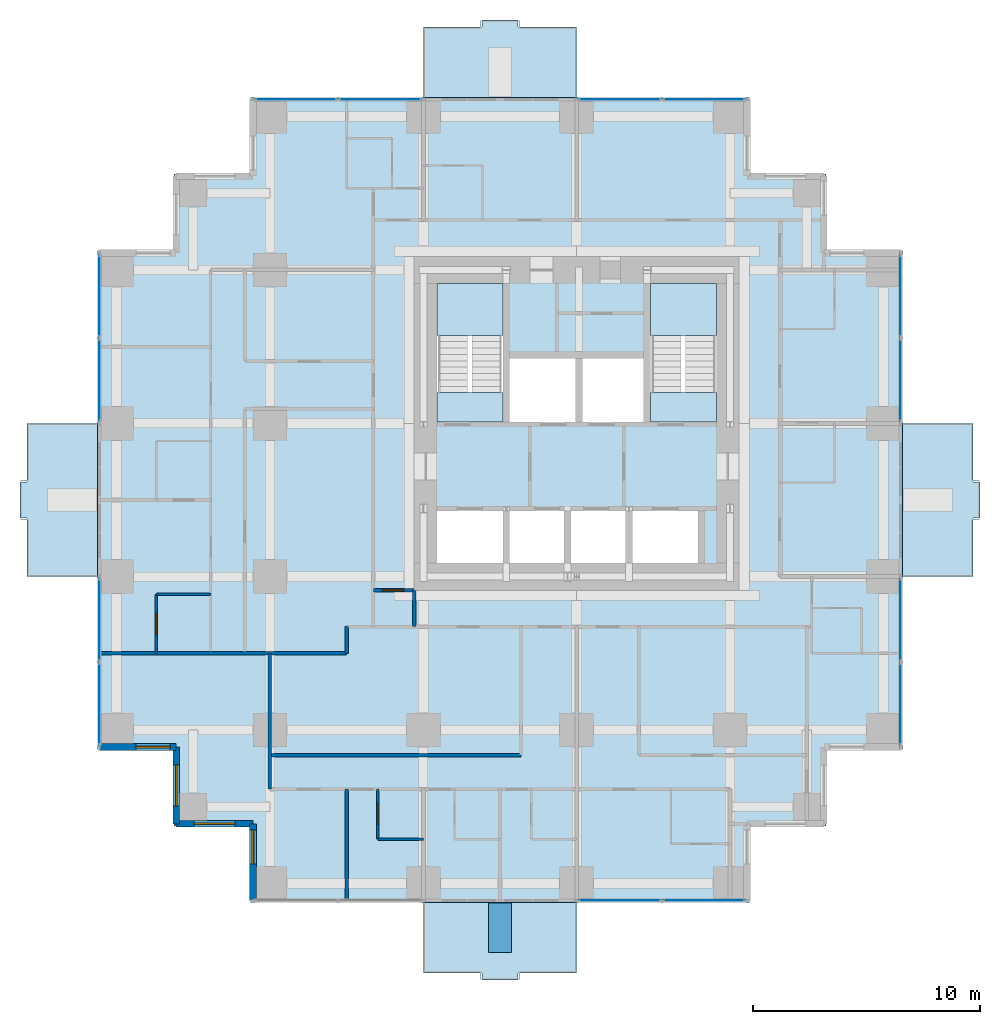
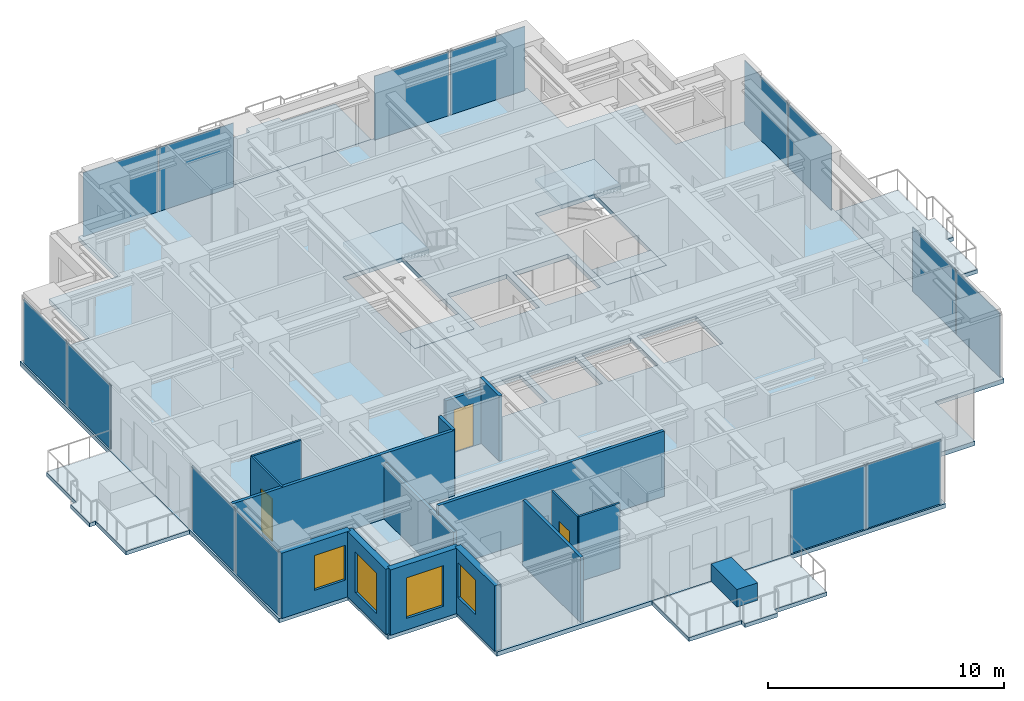
# One storey, part 4 of 10: 16 walls, 14 plates, 9 slabs, 4 windows, 3 doors, 7 openings, 9 elements without a shape of their own.
"""IFC4 building model written with IfcOpenShell, lengths in metres."""

from ifc_helpers import new_model, si_unit, direction, frame, frame_2d, origin, origin_2d, place, context, subcontext, project, spatial, polyline, rectangle, outline, extrude, material, layer, layer_set, type_object, element, fill, aggregate, save


model = new_model("IFC4")

# Units and contexts
model_context = context("Model", 3, precision=1e-05, world=origin(), true_north=direction((0.0, 1.0)))
body_context = subcontext(model_context, "Body", "Model", "MODEL_VIEW")
ifc_project = project(units=[si_unit("LENGTHUNIT", "METRE"), si_unit("AREAUNIT", "SQUARE_METRE"), si_unit("VOLUMEUNIT", "CUBIC_METRE"), si_unit("PLANEANGLEUNIT", "RADIAN"), si_unit("MASSUNIT", "GRAM", prefix="KILO")], contexts=[model_context])

# Site, building, storey
site_placement = place(None, origin())
site = spatial("IfcSite", under=ifc_project, at=site_placement, CompositionType="ELEMENT")
building_placement = place(site_placement, origin())
building = spatial("IfcBuilding", under=site, at=building_placement, Name="Nyansa Garden Tower", CompositionType="ELEMENT")
storey_placement = place(building_placement, frame((0.0, 0.0, 149.39990234375)))
storey = spatial("IfcBuildingStorey", under=building, at=storey_placement, Name="L40", CompositionType="ELEMENT", Elevation=149.39990234375)

# Slabs
ifc_material_1 = material(Name="Concrete C40/50", Category="concrete")
ifc_layer_1 = layer(ifc_material_1, 0.199951171875)
ifc_layer_set_1 = layer_set([ifc_layer_1], Name="Balcony slab BS200")
slab_type_1 = type_object("IfcSlabType", Name="Balcony slab BS200", PredefinedType="FLOOR", material=ifc_layer_set_1)
slab_1_placement = place(storey_placement, frame((0.0, 0.0, -0.239990234375)))
element("IfcSlab", 1, at=slab_1_placement, inside=storey, type_object=slab_type_1, Name="Balcony L40 S", PredefinedType="FLOOR", context=body_context, shape_type="SweptSolid", body=[
    extrude(outline(polyline([(13.5, -0.85009765625), (20.25, -0.85009765625), (20.25, -3.949951171875), (17.675048828125, -3.949951171875), (17.675048828125, -4.25), (16.074951171875, -4.25), (16.074951171875, -3.949951171875), (13.5, -3.949951171875), (13.5, -0.85009765625)])), origin(), (0.0, 0.0, 1.0), 0.2001953125),
])
slab_2_placement = place(storey_placement, frame((0.0, 0.0, -0.239990234375)))
element("IfcSlab", 2, at=slab_2_placement, inside=storey, type_object=slab_type_1, Name="Balcony L40 E", PredefinedType="FLOOR", context=body_context, shape_type="SweptSolid", body=[
    extrude(outline(polyline([(34.60009765625, 13.5), (34.60009765625, 20.25), (37.699951171875, 20.25), (37.699951171875, 17.675048828125), (38.0, 17.675048828125), (38.0, 16.074951171875), (37.699951171875, 16.074951171875), (37.699951171875, 13.5), (34.60009765625, 13.5)])), origin(), (0.0, 0.0, 1.0), 0.2001953125),
])
slab_3_placement = place(storey_placement, frame((0.0, 0.0, -0.239990234375)))
element("IfcSlab", 3, at=slab_3_placement, inside=storey, type_object=slab_type_1, Name="Balcony L40 N", PredefinedType="FLOOR", context=body_context, shape_type="SweptSolid", body=[
    extrude(outline(polyline([(13.5, 34.60009765625), (20.25, 34.60009765625), (20.25, 37.699951171875), (17.675048828125, 37.699951171875), (17.675048828125, 38.0), (16.074951171875, 38.0), (16.074951171875, 37.699951171875), (13.5, 37.699951171875), (13.5, 34.60009765625)])), origin(), (0.0, 0.0, 1.0), 0.2001953125),
])
slab_4_placement = place(storey_placement, frame((0.0, 0.0, -0.239990234375)))
element("IfcSlab", 4, at=slab_4_placement, inside=storey, type_object=slab_type_1, Name="Balcony L40 W", PredefinedType="FLOOR", context=body_context, shape_type="SweptSolid", body=[
    extrude(outline(polyline([(-0.85009765625, 13.5), (-0.85009765625, 20.25), (-3.949951171875, 20.25), (-3.949951171875, 17.675048828125), (-4.25, 17.675048828125), (-4.25, 16.074951171875), (-3.949951171875, 16.074951171875), (-3.949951171875, 13.5), (-0.85009765625, 13.5)])), origin(), (0.0, 0.0, 1.0), 0.2001953125),
])

# Curtain wall, plates
ifc_material_2 = material(Name="Black anodised aluminium, dark tinted double glazing", Category="aluminium")
curtain_wall_type = type_object("IfcCurtainWallType", Name="Inner skin curtain wall ISW-C", PredefinedType="USERDEFINED", material=ifc_material_2)
curtain_wall_1_placement = place(storey_placement, origin())
curtain_wall_1 = element("IfcCurtainWall", 5, at=curtain_wall_1_placement, inside=storey, type_object=curtain_wall_type, Name="Inner skin curtain wall L40 E", ObjectType="UNITISED CURTAIN WALL", PredefinedType="USERDEFINED")
ifc_material_3 = material(Name="Dark tinted laminated double glazing", Category="glass")
ifc_layer_2 = layer(ifc_material_3, 0.0400390625)
ifc_layer_set_2 = layer_set([ifc_layer_2], Name="Dark tinted vision panel VP-C")
plate_type = type_object("IfcPlateType", Name="Dark tinted vision panel VP-C", PredefinedType="CURTAIN_PANEL", material=ifc_layer_set_2)
plate_1_placement = place(storey_placement, frame((34.5, 7.892578125, 0.0), z_axis=(0.0, 0.0, 1.0), x_axis=(0.0, 1.0, 0.0)))
plate_1 = element("IfcPlate", 6, at=plate_1_placement, type_object=plate_type, Name="ISW-C panel 1", PredefinedType="CURTAIN_PANEL", context=body_context, shape_type="SweptSolid", body=[
    extrude(rectangle(XDim=3.64501953125, YDim=0.0400390625, at=origin_2d()), origin(), (0.0, 0.0, 1.0), 3.304931640625),
])
plate_2_placement = place(storey_placement, frame((34.5, 11.607421875, 0.0), z_axis=(0.0, 0.0, 1.0), x_axis=(0.0, 1.0, 0.0)))
plate_2 = element("IfcPlate", 7, at=plate_2_placement, type_object=plate_type, Name="ISW-C panel 2", PredefinedType="CURTAIN_PANEL", context=body_context, shape_type="SweptSolid", body=[
    extrude(rectangle(XDim=3.64501953125, YDim=0.0400390625, at=origin_2d()), origin(), (0.0, 0.0, 1.0), 3.304931640625),
])
aggregate(curtain_wall_1, [plate_1, plate_2])

curtain_wall_2_placement = place(storey_placement, origin())
curtain_wall_2 = element("IfcCurtainWall", 8, at=curtain_wall_2_placement, inside=storey, type_object=curtain_wall_type, Name="Inner skin curtain wall L40 E", ObjectType="UNITISED CURTAIN WALL", PredefinedType="USERDEFINED")
plate_3_placement = place(storey_placement, frame((34.5, 22.142578125, 0.0), z_axis=(0.0, 0.0, 1.0), x_axis=(0.0, 1.0, 0.0)))
plate_3 = element("IfcPlate", 9, at=plate_3_placement, type_object=plate_type, Name="ISW-C panel 1", PredefinedType="CURTAIN_PANEL", context=body_context, shape_type="SweptSolid", body=[
    extrude(rectangle(XDim=3.64501953125, YDim=0.0400390625, at=origin_2d()), origin(), (0.0, 0.0, 1.0), 3.304931640625),
])
plate_4_placement = place(storey_placement, frame((34.5, 25.857421875, 0.0), z_axis=(0.0, 0.0, 1.0), x_axis=(0.0, 1.0, 0.0)))
plate_4 = element("IfcPlate", 10, at=plate_4_placement, type_object=plate_type, Name="ISW-C panel 2", PredefinedType="CURTAIN_PANEL", context=body_context, shape_type="SweptSolid", body=[
    extrude(rectangle(XDim=3.64501953125, YDim=0.0400390625, at=origin_2d()), origin(), (0.0, 0.0, 1.0), 3.304931640625),
])
aggregate(curtain_wall_2, [plate_3, plate_4])

curtain_wall_3_placement = place(storey_placement, origin())
curtain_wall_3 = element("IfcCurtainWall", 11, at=curtain_wall_3_placement, inside=storey, type_object=curtain_wall_type, Name="Inner skin curtain wall L40 N", ObjectType="UNITISED CURTAIN WALL", PredefinedType="USERDEFINED")
plate_5_placement = place(storey_placement, frame((11.607421875, 34.5, 0.0), z_axis=(0.0, 0.0, 1.0), x_axis=(-1.0, 0.0, 0.0)))
plate_5 = element("IfcPlate", 12, at=plate_5_placement, type_object=plate_type, Name="ISW-C panel 1", PredefinedType="CURTAIN_PANEL", context=body_context, shape_type="SweptSolid", body=[
    extrude(rectangle(XDim=3.64501953125, YDim=0.0400390625, at=origin_2d()), origin(), (0.0, 0.0, 1.0), 3.304931640625),
])
plate_6_placement = place(storey_placement, frame((7.892578125, 34.5, 0.0), z_axis=(0.0, 0.0, 1.0), x_axis=(-1.0, 0.0, 0.0)))
plate_6 = element("IfcPlate", 13, at=plate_6_placement, type_object=plate_type, Name="ISW-C panel 2", PredefinedType="CURTAIN_PANEL", context=body_context, shape_type="SweptSolid", body=[
    extrude(rectangle(XDim=3.64501953125, YDim=0.0400390625, at=origin_2d()), origin(), (0.0, 0.0, 1.0), 3.304931640625),
])
aggregate(curtain_wall_3, [plate_5, plate_6])

curtain_wall_4_placement = place(storey_placement, origin())
curtain_wall_4 = element("IfcCurtainWall", 14, at=curtain_wall_4_placement, inside=storey, type_object=curtain_wall_type, Name="Inner skin curtain wall L40 N", ObjectType="UNITISED CURTAIN WALL", PredefinedType="USERDEFINED")
plate_7_placement = place(storey_placement, frame((25.857421875, 34.5, 0.0), z_axis=(0.0, 0.0, 1.0), x_axis=(-1.0, 0.0, 0.0)))
plate_7 = element("IfcPlate", 15, at=plate_7_placement, type_object=plate_type, Name="ISW-C panel 1", PredefinedType="CURTAIN_PANEL", context=body_context, shape_type="SweptSolid", body=[
    extrude(rectangle(XDim=3.64501953125, YDim=0.0400390625, at=origin_2d()), origin(), (0.0, 0.0, 1.0), 3.304931640625),
])
plate_8_placement = place(storey_placement, frame((22.142578125, 34.5, 0.0), z_axis=(0.0, 0.0, 1.0), x_axis=(-1.0, 0.0, 0.0)))
plate_8 = element("IfcPlate", 16, at=plate_8_placement, type_object=plate_type, Name="ISW-C panel 2", PredefinedType="CURTAIN_PANEL", context=body_context, shape_type="SweptSolid", body=[
    extrude(rectangle(XDim=3.64501953125, YDim=0.0400390625, at=origin_2d()), origin(), (0.0, 0.0, 1.0), 3.304931640625),
])
aggregate(curtain_wall_4, [plate_7, plate_8])

curtain_wall_5_placement = place(storey_placement, origin())
curtain_wall_5 = element("IfcCurtainWall", 17, at=curtain_wall_5_placement, inside=storey, type_object=curtain_wall_type, Name="Inner skin curtain wall L40 W", ObjectType="UNITISED CURTAIN WALL", PredefinedType="USERDEFINED")
plate_9_placement = place(storey_placement, frame((-0.75, 11.607421875, 0.0), z_axis=(0.0, 0.0, 1.0), x_axis=(0.0, -1.0, 0.0)))
plate_9 = element("IfcPlate", 18, at=plate_9_placement, type_object=plate_type, Name="ISW-C panel 1", PredefinedType="CURTAIN_PANEL", context=body_context, shape_type="SweptSolid", body=[
    extrude(rectangle(XDim=3.64501953125, YDim=0.0400390625, at=origin_2d()), origin(), (0.0, 0.0, 1.0), 3.304931640625),
])
plate_10_placement = place(storey_placement, frame((-0.75, 7.892578125, 0.0), z_axis=(0.0, 0.0, 1.0), x_axis=(0.0, -1.0, 0.0)))
plate_10 = element("IfcPlate", 19, at=plate_10_placement, type_object=plate_type, Name="ISW-C panel 2", PredefinedType="CURTAIN_PANEL", context=body_context, shape_type="SweptSolid", body=[
    extrude(rectangle(XDim=3.64501953125, YDim=0.0400390625, at=origin_2d()), origin(), (0.0, 0.0, 1.0), 3.304931640625),
])
aggregate(curtain_wall_5, [plate_9, plate_10])

curtain_wall_6_placement = place(storey_placement, origin())
curtain_wall_6 = element("IfcCurtainWall", 20, at=curtain_wall_6_placement, inside=storey, type_object=curtain_wall_type, Name="Inner skin curtain wall L40 W", ObjectType="UNITISED CURTAIN WALL", PredefinedType="USERDEFINED")
plate_11_placement = place(storey_placement, frame((-0.75, 25.857421875, 0.0), z_axis=(0.0, 0.0, 1.0), x_axis=(0.0, -1.0, 0.0)))
plate_11 = element("IfcPlate", 21, at=plate_11_placement, type_object=plate_type, Name="ISW-C panel 1", PredefinedType="CURTAIN_PANEL", context=body_context, shape_type="SweptSolid", body=[
    extrude(rectangle(XDim=3.64501953125, YDim=0.0400390625, at=origin_2d()), origin(), (0.0, 0.0, 1.0), 3.304931640625),
])
plate_12_placement = place(storey_placement, frame((-0.75, 22.142578125, 0.0), z_axis=(0.0, 0.0, 1.0), x_axis=(0.0, -1.0, 0.0)))
plate_12 = element("IfcPlate", 22, at=plate_12_placement, type_object=plate_type, Name="ISW-C panel 2", PredefinedType="CURTAIN_PANEL", context=body_context, shape_type="SweptSolid", body=[
    extrude(rectangle(XDim=3.64501953125, YDim=0.0400390625, at=origin_2d()), origin(), (0.0, 0.0, 1.0), 3.304931640625),
])
aggregate(curtain_wall_6, [plate_11, plate_12])

curtain_wall_7_placement = place(storey_placement, origin())
curtain_wall_7 = element("IfcCurtainWall", 23, at=curtain_wall_7_placement, inside=storey, type_object=curtain_wall_type, Name="Inner skin curtain wall L40 S", ObjectType="UNITISED CURTAIN WALL", PredefinedType="USERDEFINED")
plate_13_placement = place(storey_placement, frame((22.142578125, -0.75, 0.0), z_axis=(0.0, 0.0, 1.0), x_axis=(1.0, 0.0, 0.0)))
plate_13 = element("IfcPlate", 24, at=plate_13_placement, type_object=plate_type, Name="ISW-C panel 1", PredefinedType="CURTAIN_PANEL", context=body_context, shape_type="SweptSolid", body=[
    extrude(rectangle(XDim=3.64501953125, YDim=0.0400390625, at=origin_2d()), origin(), (0.0, 0.0, 1.0), 3.304931640625),
])
plate_14_placement = place(storey_placement, frame((25.857421875, -0.75, 0.0), z_axis=(0.0, 0.0, 1.0), x_axis=(1.0, 0.0, 0.0)))
plate_14 = element("IfcPlate", 25, at=plate_14_placement, type_object=plate_type, Name="ISW-C panel 2", PredefinedType="CURTAIN_PANEL", context=body_context, shape_type="SweptSolid", body=[
    extrude(rectangle(XDim=3.64501953125, YDim=0.0400390625, at=origin_2d()), origin(), (0.0, 0.0, 1.0), 3.304931640625),
])
aggregate(curtain_wall_7, [plate_13, plate_14])

# Slab
ifc_material_4 = material(Name="Concrete C40/50", Category="concrete")
ifc_layer_3 = layer(ifc_material_4, 0.22509765625)
ifc_layer_set_3 = layer_set([ifc_layer_3], Name="Floor slab FS225")
slab_type_2 = type_object("IfcSlabType", Name="Floor slab FS225", PredefinedType="FLOOR", material=ifc_layer_set_3)
slab_5_placement = place(storey_placement, frame((0.0, 0.0, -0.224853515625)))
element("IfcSlab", 26, at=slab_5_placement, inside=storey, type_object=slab_type_2, Name="Floor slab L40", PredefinedType="FLOOR", context=body_context, shape_type="SweptSolid", body=[
    extrude(outline(polyline([(34.60009765625, 5.89990234375), (31.22509765625, 5.89990234375), (31.22509765625, 2.52490234375), (27.85009765625, 2.52490234375), (27.85009765625, -0.85009765625), (5.89990234375, -0.85009765625), (5.89990234375, 2.52490234375), (2.52490234375, 2.52490234375), (2.52490234375, 5.89990234375), (-0.85009765625, 5.89990234375), (-0.85009765625, 27.85009765625), (2.52490234375, 27.85009765625), (2.52490234375, 31.22509765625), (5.89990234375, 31.22509765625), (5.89990234375, 34.60009765625), (27.85009765625, 34.60009765625), (27.85009765625, 31.22509765625), (31.22509765625, 31.22509765625), (31.22509765625, 27.85009765625), (34.60009765625, 27.85009765625), (34.60009765625, 5.89990234375)]), holes=[polyline([(14.10009765625, 14.10009765625), (17.0, 14.10009765625), (17.0, 16.39990234375), (14.10009765625, 16.39990234375), (14.10009765625, 14.10009765625)]), polyline([(17.300048828125, 14.10009765625), (19.699951171875, 14.10009765625), (19.699951171875, 16.39990234375), (17.300048828125, 16.39990234375), (17.300048828125, 14.10009765625)]), polyline([(20.0, 14.10009765625), (22.39990234375, 14.10009765625), (22.39990234375, 16.39990234375), (20.0, 16.39990234375), (20.0, 14.10009765625)]), polyline([(22.699951171875, 14.10009765625), (25.60009765625, 14.10009765625), (25.60009765625, 16.39990234375), (22.699951171875, 16.39990234375), (22.699951171875, 14.10009765625)]), polyline([(17.300048828125, 20.300048828125), (20.199951171875, 20.300048828125), (20.199951171875, 23.10009765625), (17.300048828125, 23.10009765625), (17.300048828125, 20.300048828125)]), polyline([(20.5, 20.300048828125), (23.199951171875, 20.300048828125), (23.199951171875, 23.10009765625), (20.5, 23.10009765625), (20.5, 20.300048828125)]), polyline([(14.10009765625, 20.300048828125), (17.0, 20.300048828125), (17.0, 26.39990234375), (14.10009765625, 26.39990234375), (14.10009765625, 20.300048828125)]), polyline([(23.5, 20.300048828125), (26.39990234375, 20.300048828125), (26.39990234375, 26.39990234375), (23.5, 26.39990234375), (23.5, 20.300048828125)])]), origin(), (0.0, 0.0, 1.0), 0.224853515625),
])

# Stair, slabs
ifc_material_5 = material(Name="Precast concrete C40/50", Category="concrete")
stair_type_1 = type_object("IfcStairType", Name="Stair S1 180x280", PredefinedType="HALF_TURN_STAIR", material=ifc_material_5)
stair_1_placement = place(storey_placement, origin())
stair_1 = element("IfcStair", 27, at=stair_1_placement, inside=storey, type_object=stair_type_1, Name="Stair S1 L40", PredefinedType="HALF_TURN_STAIR")
ifc_material_6 = material(Name="Concrete C40/50", Category="concrete")
ifc_layer_4 = layer(ifc_material_6, 0.199951171875)
ifc_layer_set_4 = layer_set([ifc_layer_4], Name="Stair landing SL200")
slab_type_3 = type_object("IfcSlabType", Name="Stair landing SL200", PredefinedType="LANDING", material=ifc_layer_set_4)
slab_6_placement = place(storey_placement, frame((0.0, 0.0, -0.199951171875)))
slab_6 = element("IfcSlab", 28, at=slab_6_placement, type_object=slab_type_3, Name="S1 landing 1", PredefinedType="LANDING", context=body_context, shape_type="SweptSolid", body=[
    extrude(outline(polyline([(14.10009765625, 20.300048828125), (17.0, 20.300048828125), (17.0, 21.60009765625), (14.10009765625, 21.60009765625), (14.10009765625, 20.300048828125)])), origin(), (0.0, 0.0, 1.0), 0.199951171875),
])
slab_7_placement = place(storey_placement, frame((0.0, 0.0, 1.60009765625)))
slab_7 = element("IfcSlab", 29, at=slab_7_placement, type_object=slab_type_3, Name="S1 landing 2", PredefinedType="LANDING", context=body_context, shape_type="SweptSolid", body=[
    extrude(outline(polyline([(14.10009765625, 24.1201171875), (17.0, 24.1201171875), (17.0, 26.39990234375), (14.10009765625, 26.39990234375), (14.10009765625, 24.1201171875)])), origin(), (0.0, 0.0, 1.0), 0.199951171875),
])
aggregate(stair_1, [slab_6, slab_7])

ifc_material_7 = material(Name="Precast concrete C40/50", Category="concrete")
stair_type_2 = type_object("IfcStairType", Name="Stair S2 180x280", PredefinedType="HALF_TURN_STAIR", material=ifc_material_7)
stair_2_placement = place(storey_placement, origin())
stair_2 = element("IfcStair", 30, at=stair_2_placement, inside=storey, type_object=stair_type_2, Name="Stair S2 L40", PredefinedType="HALF_TURN_STAIR")
slab_8_placement = place(storey_placement, frame((0.0, 0.0, -0.199951171875)))
slab_8 = element("IfcSlab", 31, at=slab_8_placement, type_object=slab_type_3, Name="S2 landing 1", PredefinedType="LANDING", context=body_context, shape_type="SweptSolid", body=[
    extrude(outline(polyline([(23.5, 20.300048828125), (26.39990234375, 20.300048828125), (26.39990234375, 21.60009765625), (23.5, 21.60009765625), (23.5, 20.300048828125)])), origin(), (0.0, 0.0, 1.0), 0.199951171875),
])
slab_9_placement = place(storey_placement, frame((0.0, 0.0, 1.60009765625)))
slab_9 = element("IfcSlab", 32, at=slab_9_placement, type_object=slab_type_3, Name="S2 landing 2", PredefinedType="LANDING", context=body_context, shape_type="SweptSolid", body=[
    extrude(outline(polyline([(23.5, 24.1201171875), (26.39990234375, 24.1201171875), (26.39990234375, 26.39990234375), (23.5, 26.39990234375), (23.5, 24.1201171875)])), origin(), (0.0, 0.0, 1.0), 0.199951171875),
])
aggregate(stair_2, [slab_8, slab_9])

# Walls
ifc_material_8 = material(Name="Blockwork, plastered both sides", Category="masonry")
ifc_layer_5 = layer(ifc_material_8, 0.14990234375)
ifc_layer_set_5 = layer_set([ifc_layer_5], Name="Partition PW150")
wall_type_1 = type_object("IfcWallType", Name="Partition PW150", PredefinedType="PARTITIONING", material=ifc_layer_set_5)
wall_1_placement = place(storey_placement, frame((-0.73388671875, 10.125, 0.0), z_axis=(0.0, 0.0, 1.0), x_axis=(1.0, 0.0, 0.0)))
element("IfcWall", 33, at=wall_1_placement, inside=storey, type_object=wall_type_1, Name="Partition", PredefinedType="PARTITIONING", context=body_context, shape_type="SweptSolid", body=[
    extrude(rectangle(XDim=10.85888671875, YDim=0.14990234375, at=frame_2d((5.429443359375, 0.0))), origin(), (0.0, 0.0, 1.0), 3.375),
])
wall_2_placement = place(storey_placement, frame((6.75, 4.14990234375, 0.0), z_axis=(0.0, 0.0, 1.0), x_axis=(0.0, 1.0, 0.0)))
element("IfcWall", 34, at=wall_2_placement, inside=storey, type_object=wall_type_1, Name="Partition", PredefinedType="PARTITIONING", context=body_context, shape_type="SweptSolid", body=[
    extrude(rectangle(XDim=5.97509765625, YDim=0.14990234375, at=frame_2d((2.987548828125, 0.0))), origin(), (0.0, 0.0, 1.0), 2.877197265625),
])
wall_3_placement = place(storey_placement, frame((6.75, 5.64990234375, 0.0), z_axis=(0.0, 0.0, 1.0), x_axis=(1.0, 0.0, 0.0)))
element("IfcWall", 35, at=wall_3_placement, inside=storey, type_object=wall_type_1, Name="Partition", PredefinedType="PARTITIONING", context=body_context, shape_type="SweptSolid", body=[
    extrude(rectangle(XDim=11.050048828125, YDim=0.14990234375, at=frame_2d((5.52490234375, 0.0))), origin(), (0.0, 0.0, 1.0), 3.375),
])
wall_4_placement = place(storey_placement, frame((10.125, -0.73388671875, 0.0), z_axis=(0.0, 0.0, 1.0), x_axis=(0.0, 1.0, 0.0)))
element("IfcWall", 36, at=wall_4_placement, inside=storey, type_object=wall_type_1, Name="Partition", PredefinedType="PARTITIONING", context=body_context, shape_type="SweptSolid", body=[
    extrude(rectangle(XDim=4.8837890625, YDim=0.14990234375, at=frame_2d((2.44189453125, 0.0))), origin(), (0.0, 0.0, 1.0), 3.375),
])
wall_5_placement = place(storey_placement, frame((10.125, 10.125, 0.0), z_axis=(0.0, 0.0, 1.0), x_axis=(0.0, 1.0, 0.0)))
element("IfcWall", 37, at=wall_5_placement, inside=storey, type_object=wall_type_1, Name="Partition", PredefinedType="PARTITIONING", context=body_context, shape_type="SweptSolid", body=[
    extrude(rectangle(XDim=1.175048828125, YDim=0.14990234375, at=frame_2d((0.58740234375, 0.0))), origin(), (0.0, 0.0, 1.0), 3.375),
])

# Wall, opening, door
wall_6_placement = place(storey_placement, frame((11.300048828125, 12.89990234375, 0.0), z_axis=(0.0, 0.0, 1.0), x_axis=(1.0, 0.0, 0.0)))
wall_6 = element("IfcWall", 38, at=wall_6_placement, inside=storey, type_object=wall_type_1, Name="Partition", PredefinedType="PARTITIONING", context=body_context, shape_type="SweptSolid", body=[
    extrude(rectangle(XDim=1.800048828125, YDim=0.14990234375, at=frame_2d((0.89990234375, 0.0))), origin(), (0.0, 0.0, 1.0), 2.80615234375),
])
opening_1_placement = place(wall_6_placement, frame((0.39990234375, 0.0, 0.0)))
opening_1 = element("IfcOpeningElement", 39, at=opening_1_placement, cuts=wall_6, Name="Opening D01", PredefinedType="OPENING", context=body_context, shape_type="SweptSolid", body=[
    extrude(rectangle(XDim=0.949951171875, YDim=2.199951171875, at=frame_2d((0.47509765625, 1.10009765625))), frame((0.0, 0.0849609375, 0.0), z_axis=(0.0, -1.0, 0.0), x_axis=(1.0, 0.0, 0.0)), (0.0, 0.0, 1.0), 0.169921875),
])
ifc_material_9 = material(Name="Timber flush door, 30 minute fire resisting", Category="wood")
door_type_1 = type_object("IfcDoorType", Name="Bedroom door D01 950x2200", OperationType="SINGLE_SWING_LEFT", PredefinedType="DOOR", material=ifc_material_9)
door_1_placement = place(opening_1_placement, origin())
door_1 = element("IfcDoor", 40, at=door_1_placement, inside=storey, type_object=door_type_1, Name="Door L40-017", OperationType="SINGLE_SWING_LEFT", OverallHeight=2.199951171875, OverallWidth=0.949951171875, PredefinedType="DOOR", context=body_context, shape_type="SweptSolid", body=[
    extrude(rectangle(XDim=0.949951171875, YDim=2.199951171875, at=frame_2d((0.47509765625, 1.10009765625))), frame((0.0, 0.02490234375, 0.0), z_axis=(0.0, -1.0, 0.0), x_axis=(1.0, 0.0, 0.0)), (0.0, 0.0, 1.0), 0.050048828125),
])
fill(opening_1, door_1)

# Wall
wall_7_placement = place(storey_placement, frame((13.10009765625, 11.300048828125, 0.0), z_axis=(0.0, 0.0, 1.0), x_axis=(0.0, 1.0, 0.0)))
element("IfcWall", 41, at=wall_7_placement, inside=storey, type_object=wall_type_1, Name="Partition", PredefinedType="PARTITIONING", context=body_context, shape_type="SweptSolid", body=[
    extrude(rectangle(XDim=1.599853515625, YDim=0.14990234375, at=frame_2d((0.7998046875, 0.0))), origin(), (0.0, 0.0, 1.0), 3.375),
])

# Wall, opening, window
ifc_material_10 = material(Name="Turquoise glazed tile on concrete blockwork", Category="masonry")
ifc_layer_6 = layer(ifc_material_10, 0.300048828125)
ifc_layer_set_6 = layer_set([ifc_layer_6], Name="Tiled corner wall TW300")
wall_type_2 = type_object("IfcWallType", Name="Tiled corner wall TW300", PredefinedType="SOLIDWALL", material=ifc_layer_set_6)
wall_8_placement = place(storey_placement, frame((-0.75, 6.0, 0.0), z_axis=(0.0, 0.0, 1.0), x_axis=(1.0, 0.0, 0.0)))
wall_8 = element("IfcWall", 42, at=wall_8_placement, inside=storey, type_object=wall_type_2, Name="Tiled corner wall L40", PredefinedType="SOLIDWALL", context=body_context, shape_type="SweptSolid", body=[
    extrude(rectangle(XDim=3.375, YDim=0.300048828125, at=frame_2d((1.6875, 0.0))), origin(), (0.0, 0.0, 1.0), 3.375),
])
opening_2_placement = place(wall_8_placement, frame((1.607421875, 0.0, 0.89990234375)))
opening_2 = element("IfcOpeningElement", 43, at=opening_2_placement, cuts=wall_8, Name="Opening W1", PredefinedType="OPENING", context=body_context, shape_type="SweptSolid", body=[
    extrude(rectangle(XDim=1.5, YDim=1.800048828125, at=frame_2d((0.75, 0.89990234375))), frame((0.0, 0.159912109375, 0.0), z_axis=(0.0, -1.0, 0.0), x_axis=(1.0, 0.0, 0.0)), (0.0, 0.0, 1.0), 0.320068359375),
])
ifc_material_11 = material(Name="Black aluminium frame, dark tinted double glazing", Category="aluminium")
window_type_1 = type_object("IfcWindowType", Name="Window W1 1500x1800", PartitioningType="SINGLE_PANEL", PredefinedType="WINDOW", material=ifc_material_11)
window_1_placement = place(opening_2_placement, origin())
window_1 = element("IfcWindow", 44, at=window_1_placement, inside=storey, type_object=window_type_1, Name="Corner window L40", OverallHeight=1.800048828125, OverallWidth=1.5, PartitioningType="SINGLE_PANEL", PredefinedType="WINDOW", context=body_context, shape_type="SweptSolid", body=[
    extrude(rectangle(XDim=1.5, YDim=1.800048828125, at=frame_2d((0.75, 0.89990234375))), frame((0.0, 0.030029296875, 0.0), z_axis=(0.0, -1.0, 0.0), x_axis=(1.0, 0.0, 0.0)), (0.0, 0.0, 1.0), 0.06005859375),
])
fill(opening_2, window_1)

wall_9_placement = place(storey_placement, frame((2.625, 6.0, 0.0), z_axis=(0.0, 0.0, 1.0), x_axis=(0.0, -1.0, 0.0)))
wall_9 = element("IfcWall", 45, at=wall_9_placement, inside=storey, type_object=wall_type_2, Name="Tiled corner wall L40", PredefinedType="SOLIDWALL", context=body_context, shape_type="SweptSolid", body=[
    extrude(rectangle(XDim=3.375, YDim=0.300048828125, at=frame_2d((1.6875, 0.0))), origin(), (0.0, 0.0, 1.0), 3.375),
])
opening_3_placement = place(wall_9_placement, frame((0.78759765625, 0.0, 0.60009765625)))
opening_3 = element("IfcOpeningElement", 46, at=opening_3_placement, cuts=wall_9, Name="Opening W2", PredefinedType="OPENING", context=body_context, shape_type="SweptSolid", body=[
    extrude(rectangle(XDim=1.800048828125, YDim=2.10009765625, at=frame_2d((0.89990234375, 1.050048828125))), frame((0.0, 0.159912109375, 0.0), z_axis=(0.0, -1.0, 0.0), x_axis=(1.0, 0.0, 0.0)), (0.0, 0.0, 1.0), 0.320068359375),
])
ifc_material_12 = material(Name="Black aluminium frame, dark tinted double glazing", Category="aluminium")
window_type_2 = type_object("IfcWindowType", Name="Window W2 1800x2100", PartitioningType="SINGLE_PANEL", PredefinedType="WINDOW", material=ifc_material_12)
window_2_placement = place(opening_3_placement, origin())
window_2 = element("IfcWindow", 47, at=window_2_placement, inside=storey, type_object=window_type_2, Name="Corner window L40", OverallHeight=2.10009765625, OverallWidth=1.800048828125, PartitioningType="SINGLE_PANEL", PredefinedType="WINDOW", context=body_context, shape_type="SweptSolid", body=[
    extrude(rectangle(XDim=1.800048828125, YDim=2.10009765625, at=frame_2d((0.89990234375, 1.050048828125))), frame((0.0, 0.030029296875, 0.0), z_axis=(0.0, -1.0, 0.0), x_axis=(1.0, 0.0, 0.0)), (0.0, 0.0, 1.0), 0.06005859375),
])
fill(opening_3, window_2)

wall_10_placement = place(storey_placement, frame((2.625, 2.625, 0.0), z_axis=(0.0, 0.0, 1.0), x_axis=(1.0, 0.0, 0.0)))
wall_10 = element("IfcWall", 48, at=wall_10_placement, inside=storey, type_object=wall_type_2, Name="Tiled corner wall L40", PredefinedType="SOLIDWALL", context=body_context, shape_type="SweptSolid", body=[
    extrude(rectangle(XDim=3.375, YDim=0.300048828125, at=frame_2d((1.6875, 0.0))), origin(), (0.0, 0.0, 1.0), 3.375),
])
opening_4_placement = place(wall_10_placement, frame((0.78759765625, 0.0, 0.60009765625)))
opening_4 = element("IfcOpeningElement", 49, at=opening_4_placement, cuts=wall_10, Name="Opening W2", PredefinedType="OPENING", context=body_context, shape_type="SweptSolid", body=[
    extrude(rectangle(XDim=1.800048828125, YDim=2.10009765625, at=frame_2d((0.89990234375, 1.050048828125))), frame((0.0, 0.159912109375, 0.0), z_axis=(0.0, -1.0, 0.0), x_axis=(1.0, 0.0, 0.0)), (0.0, 0.0, 1.0), 0.320068359375),
])
window_3_placement = place(opening_4_placement, origin())
window_3 = element("IfcWindow", 50, at=window_3_placement, inside=storey, type_object=window_type_2, Name="Corner window L40", OverallHeight=2.10009765625, OverallWidth=1.800048828125, PartitioningType="SINGLE_PANEL", PredefinedType="WINDOW", context=body_context, shape_type="SweptSolid", body=[
    extrude(rectangle(XDim=1.800048828125, YDim=2.10009765625, at=frame_2d((0.89990234375, 1.050048828125))), frame((0.0, 0.030029296875, 0.0), z_axis=(0.0, -1.0, 0.0), x_axis=(1.0, 0.0, 0.0)), (0.0, 0.0, 1.0), 0.06005859375),
])
fill(opening_4, window_3)

wall_11_placement = place(storey_placement, frame((6.0, 2.625, 0.0), z_axis=(0.0, 0.0, 1.0), x_axis=(0.0, -1.0, 0.0)))
wall_11 = element("IfcWall", 51, at=wall_11_placement, inside=storey, type_object=wall_type_2, Name="Tiled corner wall L40", PredefinedType="SOLIDWALL", context=body_context, shape_type="SweptSolid", body=[
    extrude(rectangle(XDim=3.375, YDim=0.300048828125, at=frame_2d((1.6875, 0.0))), origin(), (0.0, 0.0, 1.0), 3.375),
])
opening_5_placement = place(wall_11_placement, frame((0.267578125, 0.0, 0.89990234375)))
opening_5 = element("IfcOpeningElement", 52, at=opening_5_placement, cuts=wall_11, Name="Opening W1", PredefinedType="OPENING", context=body_context, shape_type="SweptSolid", body=[
    extrude(rectangle(XDim=1.5, YDim=1.800048828125, at=frame_2d((0.75, 0.89990234375))), frame((0.0, 0.159912109375, 0.0), z_axis=(0.0, -1.0, 0.0), x_axis=(1.0, 0.0, 0.0)), (0.0, 0.0, 1.0), 0.320068359375),
])
window_4_placement = place(opening_5_placement, origin())
window_4 = element("IfcWindow", 53, at=window_4_placement, inside=storey, type_object=window_type_1, Name="Corner window L40", OverallHeight=1.800048828125, OverallWidth=1.5, PartitioningType="SINGLE_PANEL", PredefinedType="WINDOW", context=body_context, shape_type="SweptSolid", body=[
    extrude(rectangle(XDim=1.5, YDim=1.800048828125, at=frame_2d((0.75, 0.89990234375))), frame((0.0, 0.030029296875, 0.0), z_axis=(0.0, -1.0, 0.0), x_axis=(1.0, 0.0, 0.0)), (0.0, 0.0, 1.0), 0.06005859375),
])
fill(opening_5, window_4)

# Wall
ifc_material_13 = material(Name="Concrete C40/50 planter, waterproofed", Category="concrete")
ifc_layer_7 = layer(ifc_material_13, 1.0)
ifc_layer_set_7 = layer_set([ifc_layer_7], Name="Tree planter TP1")
wall_type_3 = type_object("IfcWallType", Name="Tree planter TP1", PredefinedType="USERDEFINED", material=ifc_layer_set_7)
wall_12_placement = place(storey_placement, frame((16.875, -0.85009765625, 0.0), z_axis=(0.0, 0.0, 1.0), x_axis=(0.0, -1.0, 0.0)))
element("IfcWall", 54, at=wall_12_placement, inside=storey, type_object=wall_type_3, Name="Tree planter L40", ObjectType="TREE PLANTER", PredefinedType="USERDEFINED", context=body_context, shape_type="SweptSolid", body=[
    extrude(rectangle(XDim=2.199951171875, YDim=1.0, at=frame_2d((1.10009765625, 0.0))), origin(), (0.0, 0.0, 1.0), 0.900146484375),
])

# Wall, opening, door
ifc_material_14 = material(Name="Moisture resistant board on steel studs, tiled", Category="steel")
ifc_layer_8 = layer(ifc_material_14, 0.10009765625)
ifc_layer_set_8 = layer_set([ifc_layer_8], Name="Wet wall PW100")
wall_type_4 = type_object("IfcWallType", Name="Wet wall PW100", PredefinedType="PARTITIONING", material=ifc_layer_set_8)
wall_13_placement = place(storey_placement, frame((1.75, 10.125, 0.0), z_axis=(0.0, 0.0, 1.0), x_axis=(0.0, 1.0, 0.0)))
wall_13 = element("IfcWall", 55, at=wall_13_placement, inside=storey, type_object=wall_type_4, Name="Wet wall", PredefinedType="PARTITIONING", context=body_context, shape_type="SweptSolid", body=[
    extrude(rectangle(XDim=2.60009765625, YDim=0.10009765625, at=frame_2d((1.300048828125, 0.0))), origin(), (0.0, 0.0, 1.0), 3.375),
])
opening_6_placement = place(wall_13_placement, frame((0.85009765625, 0.0, 0.0)))
opening_6 = element("IfcOpeningElement", 56, at=opening_6_placement, cuts=wall_13, Name="Opening D02", PredefinedType="OPENING", context=body_context, shape_type="SweptSolid", body=[
    extrude(rectangle(XDim=0.89990234375, YDim=2.199951171875, at=frame_2d((0.449951171875, 1.10009765625))), frame((0.0, 0.06005859375, 0.0), z_axis=(0.0, -1.0, 0.0), x_axis=(1.0, 0.0, 0.0)), (0.0, 0.0, 1.0), 0.1201171875),
])
ifc_material_15 = material(Name="Timber flush door", Category="wood")
door_type_2 = type_object("IfcDoorType", Name="En-suite door D02 900x2200", OperationType="SINGLE_SWING_RIGHT", PredefinedType="DOOR", material=ifc_material_15)
door_2_placement = place(opening_6_placement, origin())
door_2 = element("IfcDoor", 57, at=door_2_placement, inside=storey, type_object=door_type_2, Name="Door L40-047", OperationType="SINGLE_SWING_RIGHT", OverallHeight=2.199951171875, OverallWidth=0.89990234375, PredefinedType="DOOR", context=body_context, shape_type="SweptSolid", body=[
    extrude(rectangle(XDim=0.89990234375, YDim=2.199951171875, at=frame_2d((0.449951171875, 1.10009765625))), frame((0.0, 0.02490234375, 0.0), z_axis=(0.0, -1.0, 0.0), x_axis=(1.0, 0.0, 0.0)), (0.0, 0.0, 1.0), 0.050048828125),
])
fill(opening_6, door_2)

# Wall
wall_14_placement = place(storey_placement, frame((1.75, 12.72509765625, 0.0), z_axis=(0.0, 0.0, 1.0), x_axis=(1.0, 0.0, 0.0)))
element("IfcWall", 58, at=wall_14_placement, inside=storey, type_object=wall_type_4, Name="Wet wall", PredefinedType="PARTITIONING", context=body_context, shape_type="SweptSolid", body=[
    extrude(rectangle(XDim=2.39990234375, YDim=0.10009765625, at=frame_2d((1.199951171875, 0.0))), origin(), (0.0, 0.0, 1.0), 3.375),
])

# Wall, opening, door
wall_15_placement = place(storey_placement, frame((11.5, 1.949951171875, 0.0), z_axis=(0.0, 0.0, 1.0), x_axis=(0.0, 1.0, 0.0)))
wall_15 = element("IfcWall", 59, at=wall_15_placement, inside=storey, type_object=wall_type_4, Name="Wet wall", PredefinedType="PARTITIONING", context=body_context, shape_type="SweptSolid", body=[
    extrude(rectangle(XDim=2.199951171875, YDim=0.10009765625, at=frame_2d((1.10009765625, 0.0))), origin(), (0.0, 0.0, 1.0), 3.375),
])
opening_7_placement = place(wall_15_placement, frame((0.64990234375, 0.0, 0.0)))
opening_7 = element("IfcOpeningElement", 60, at=opening_7_placement, cuts=wall_15, Name="Opening D02", PredefinedType="OPENING", context=body_context, shape_type="SweptSolid", body=[
    extrude(rectangle(XDim=0.89990234375, YDim=2.199951171875, at=frame_2d((0.449951171875, 1.10009765625))), frame((0.0, 0.06005859375, 0.0), z_axis=(0.0, -1.0, 0.0), x_axis=(1.0, 0.0, 0.0)), (0.0, 0.0, 1.0), 0.1201171875),
])
door_3_placement = place(opening_7_placement, origin())
door_3 = element("IfcDoor", 61, at=door_3_placement, inside=storey, type_object=door_type_2, Name="Door L40-020", OperationType="SINGLE_SWING_RIGHT", OverallHeight=2.199951171875, OverallWidth=0.89990234375, PredefinedType="DOOR", context=body_context, shape_type="SweptSolid", body=[
    extrude(rectangle(XDim=0.89990234375, YDim=2.199951171875, at=frame_2d((0.449951171875, 1.10009765625))), frame((0.0, 0.02490234375, 0.0), z_axis=(0.0, -1.0, 0.0), x_axis=(1.0, 0.0, 0.0)), (0.0, 0.0, 1.0), 0.050048828125),
])
fill(opening_7, door_3)

# Wall
wall_16_placement = place(storey_placement, frame((11.5, 1.949951171875, 0.0), z_axis=(0.0, 0.0, 1.0), x_axis=(1.0, 0.0, 0.0)))
element("IfcWall", 62, at=wall_16_placement, inside=storey, type_object=wall_type_4, Name="Wet wall", PredefinedType="PARTITIONING", context=body_context, shape_type="SweptSolid", body=[
    extrude(rectangle(XDim=2.0, YDim=0.10009765625, at=frame_2d((1.0, 0.0))), origin(), (0.0, 0.0, 1.0), 3.375),
])

save(model, "model.ifc")
